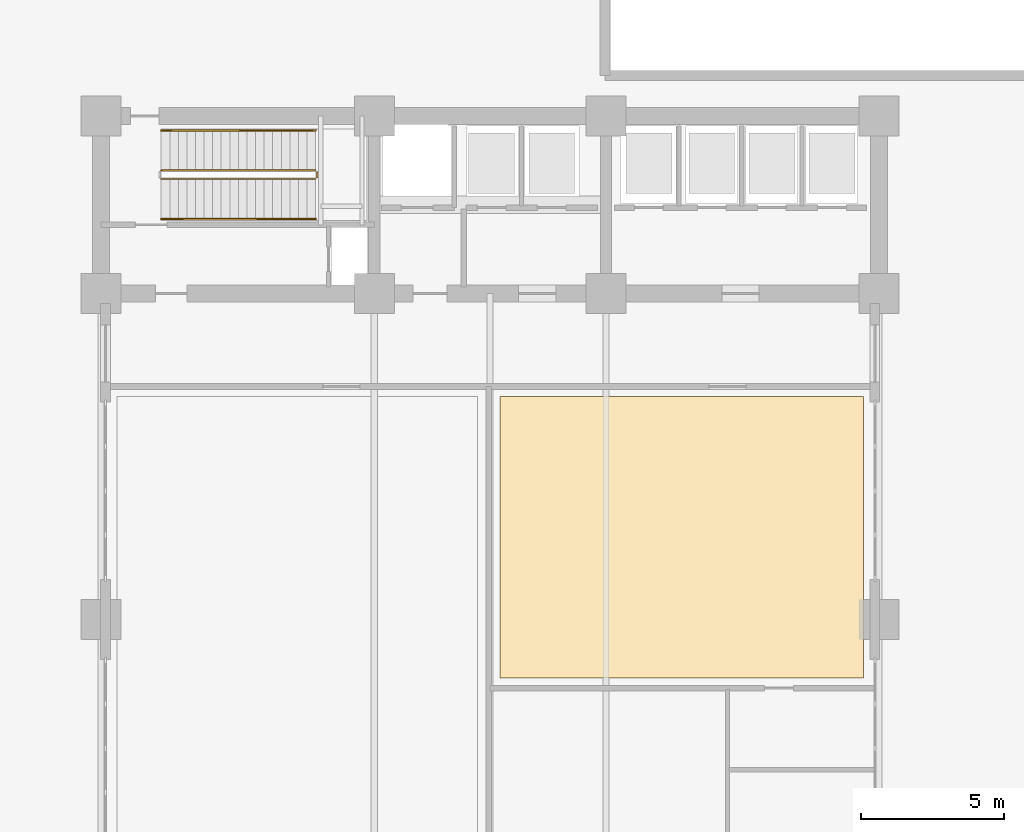
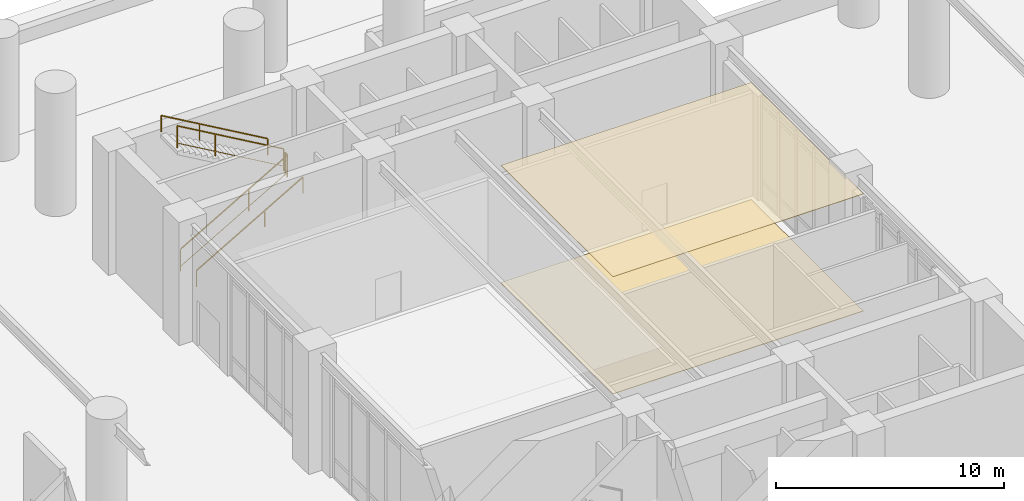
# One storey, part 14 of 16: 5 railings, 2 coverings.
"""IFC4 building model written with IfcOpenShell, lengths in metres."""

import ifcopenshell
import ifcopenshell.guid

model = None  # the IFC model being written
_history = None  # IfcOwnerHistory: only IFC2X3 demands one
_inside = {}  # id of a spatial element -> (the spatial element, [elements in it])
_under = {}  # id of a project, library or spatial element -> (it, [spatial elements below it])
_declared = {}  # id of a project -> (the project, [libraries it declares])
_typed = {}  # id of a type object -> (the type object, [elements of that type])
_made_of = {}  # id of a material, layer set ... -> (it, [elements and type objects made of it])


def new_model(schema):
    """Start an empty IFC model of exactly this schema.

    Asked for "IFC4X3", IfcOpenShell would pick the latest addendum, in which some entities
    have other attributes; the version numbers below select the first issue.
    IFC2X3 requires an IfcOwnerHistory on every rooted entity: one is made here for all.
    """
    global model, _history
    if schema == "IFC4X3":
        model = ifcopenshell.file(schema_version=(4, 3, 0, 0))
    else:
        model = ifcopenshell.file(schema=schema)
    _inside.clear()
    _under.clear()
    _declared.clear()
    _typed.clear()
    _made_of.clear()
    _history = None
    if model.schema == "IFC2X3":
        org = make("IfcOrganization", Name="unknown")
        user = make(
            "IfcPersonAndOrganization",
            ThePerson=make("IfcPerson", FamilyName="unknown"),
            TheOrganization=org,
        )
        app = make(
            "IfcApplication",
            ApplicationDeveloper=org,
            Version="unknown",
            ApplicationFullName="unknown",
            ApplicationIdentifier="unknown",
        )
        _history = make(
            "IfcOwnerHistory",
            OwningUser=user,
            OwningApplication=app,
            ChangeAction="ADDED",
            CreationDate=0,
        )
    return model


def make(cls, **values):
    """One entity of the class cls with the attributes given. An attribute that is None is left unset."""
    return model.create_entity(
        cls, **{name: value for name, value in values.items() if value is not None}
    )


def rooted(cls, **values):
    """An entity with a GlobalId (a new one), such as an element, a storey or a relation."""
    return make(cls, GlobalId=ifcopenshell.guid.new(), OwnerHistory=_history, **values)


def si_unit(unit_type, name, prefix=None):
    """IfcSIUnit, for example si_unit("LENGTHUNIT", "METRE", prefix="MILLI")."""
    return make("IfcSIUnit", UnitType=unit_type, Prefix=prefix, Name=name)


def assignment(units):
    """IfcUnitAssignment: the units of a project."""
    return None if units is None else make("IfcUnitAssignment", Units=units)


def point(xyz):
    """IfcCartesianPoint."""
    return None if xyz is None else make("IfcCartesianPoint", Coordinates=xyz)


def direction(xyz):
    """IfcDirection."""
    return None if xyz is None else make("IfcDirection", DirectionRatios=xyz)


def frame(location, z_axis=None, x_axis=None):
    """IfcAxis2Placement3D, a coordinate frame: its origin and axes. An axis left out is left unset."""
    return make(
        "IfcAxis2Placement3D",
        Location=point(location),
        Axis=direction(z_axis),
        RefDirection=direction(x_axis),
    )


def frame_2d(location, x_axis=None):
    """IfcAxis2Placement2D, a coordinate frame in the plane: its origin and x axis."""
    return make(
        "IfcAxis2Placement2D", Location=point(location), RefDirection=direction(x_axis)
    )


def origin():
    """The frame at (0, 0, 0) with its axes left unset."""
    return frame((0.0, 0.0, 0.0))


def origin_2d():
    """The frame at (0, 0) in the plane with its x axis left unset."""
    return frame_2d((0.0, 0.0))


def place(relative_to, where):
    """IfcLocalPlacement: puts the frame where relative to a parent placement (None: the world)."""
    return make(
        "IfcLocalPlacement", PlacementRelTo=relative_to, RelativePlacement=where
    )


def context(
    kind, dimensions, precision=None, world=None, true_north=None, identifier=None
):
    """IfcGeometricRepresentationContext, for example the 3D "Model" context."""
    return make(
        "IfcGeometricRepresentationContext",
        ContextIdentifier=identifier,
        ContextType=kind,
        CoordinateSpaceDimension=dimensions,
        Precision=precision,
        WorldCoordinateSystem=world,
        TrueNorth=true_north,
    )


def subcontext(parent, identifier, kind, view, scale=None):
    """IfcGeometricRepresentationSubContext, for example "Body" below "Model"."""
    return make(
        "IfcGeometricRepresentationSubContext",
        ContextIdentifier=identifier,
        ContextType=kind,
        ParentContext=parent,
        TargetScale=scale,
        TargetView=view,
    )


def project(units=None, contexts=None):
    """IfcProject with its units and contexts."""
    return rooted(
        "IfcProject",
        Name="project",
        RepresentationContexts=contexts,
        UnitsInContext=assignment(units),
    )


def spatial(cls, under=None, at=None, **own):
    """A site, building, storey or space (cls), placed at a placement, below another one or the project."""
    s = rooted(cls, ObjectPlacement=at, **own)
    if under is not None:
        _under.setdefault(under.id(), (under, []))[1].append(s)
    return s


def polyline(points):
    """IfcPolyline through the points."""
    return make("IfcPolyline", Points=[point(p) for p in points])


def profile(cls, at=None, kind="AREA", **sizes):
    """A parametric profile (cls). Its sizes go by their IFC names, for example OverallWidth=200.0."""
    return make(cls, ProfileType=kind, Position=at, **sizes)


def rectangle(**sizes):
    """IfcRectangleProfileDef."""
    return profile("IfcRectangleProfileDef", **sizes)


def outline(outer, holes=None, kind="AREA"):
    """IfcArbitraryClosedProfileDef: a profile drawn as a closed curve; with holes, ...WithVoids."""
    if holes is None:
        return make("IfcArbitraryClosedProfileDef", ProfileType=kind, OuterCurve=outer)
    return make(
        "IfcArbitraryProfileDefWithVoids",
        ProfileType=kind,
        OuterCurve=outer,
        InnerCurves=holes,
    )


def extrude(swept, where, along, depth):
    """IfcExtrudedAreaSolid: the profile swept, set in the frame where, extruded along a direction by depth."""
    return make(
        "IfcExtrudedAreaSolid",
        SweptArea=swept,
        Position=where,
        ExtrudedDirection=direction(along),
        Depth=depth,
    )


def shape(context_of_items, identifier, shape_type, items):
    """IfcShapeRepresentation: the items that make up one representation, for example the "Body"."""
    return make(
        "IfcShapeRepresentation",
        ContextOfItems=context_of_items,
        RepresentationIdentifier=identifier,
        RepresentationType=shape_type,
        Items=items,
    )


def material(Name=None, Category=None):
    """IfcMaterial."""
    return make("IfcMaterial", Name=Name, Category=Category)


def layer(
    of_material, thickness, ventilated=None, Name=None, Category=None, Priority=None
):
    """IfcMaterialLayer: one layer of a wall or slab, of a material (None: an air gap)."""
    return make(
        "IfcMaterialLayer",
        Material=of_material,
        LayerThickness=thickness,
        IsVentilated=ventilated,
        Name=Name,
        Category=Category,
        Priority=Priority,
    )


def layer_set(layers, Name=None):
    """IfcMaterialLayerSet."""
    return make("IfcMaterialLayerSet", MaterialLayers=layers, LayerSetName=Name)


def made_of(thing, what):
    """Note that an element or type object is made of a material, layer set ...; save() writes the relation."""
    if what is not None:
        _made_of.setdefault(what.id(), (what, []))[1].append(thing)
    return thing


def type_object(cls, material=None, **own):
    """A type object (cls), such as IfcWallType, which elements share."""
    return made_of(rooted(cls, **own), material)


def element(
    cls,
    number,
    at=None,
    inside=None,
    cuts=None,
    type_object=None,
    material=None,
    context=None,
    identifier="Body",
    shape_type=None,
    held_by="IfcProductDefinitionShape",
    body=None,
    shapes=None,
    **own,
):
    """One element of the class cls, such as IfcWall. Its Tag is "e" and its number.

    at: its placement. inside: the storey or other place that contains it. cuts: it is an
    opening in that element (IfcRelVoidsElement). A single representation is given by context,
    identifier, shape_type and body (its items); several are given by shapes. held_by: the class
    of the entity that holds the representations. save() writes the other relations.
    """
    e = rooted(cls, Tag="e%d" % number, ObjectPlacement=at, **own)
    if body is not None:
        shapes = [shape(context, identifier, shape_type, body)]
    if shapes is not None:
        e.Representation = make(held_by, Representations=shapes)
    if inside is not None:
        _inside.setdefault(inside.id(), (inside, []))[1].append(e)
    if cuts is not None:
        rooted(
            "IfcRelVoidsElement", RelatingBuildingElement=cuts, RelatedOpeningElement=e
        )
    if type_object is not None:
        _typed.setdefault(type_object.id(), (type_object, []))[1].append(e)
    return made_of(e, material)


def aggregate(whole, parts):
    """IfcRelAggregates: a whole, such as a stair, and the parts it consists of."""
    return rooted("IfcRelAggregates", RelatingObject=whole, RelatedObjects=parts)


def save(model, path):
    """Write the relations noted so far, then the file.

    IfcRelAggregates (storeys below a building ...), IfcRelContainedInSpatialStructure (elements
    in a storey), IfcRelDefinesByType, IfcRelAssociatesMaterial and IfcRelDeclares: one each for
    every whole, place, type object, material and project.
    """
    for whole, parts in _under.values():
        aggregate(whole, parts)
    for where, things in _inside.values():
        rooted(
            "IfcRelContainedInSpatialStructure",
            RelatedElements=things,
            RelatingStructure=where,
        )
    for kind, things in _typed.values():
        rooted("IfcRelDefinesByType", RelatedObjects=things, RelatingType=kind)
    for what, things in _made_of.values():
        rooted("IfcRelAssociatesMaterial", RelatedObjects=things, RelatingMaterial=what)
    for by, libraries in _declared.values():
        rooted("IfcRelDeclares", RelatingContext=by, RelatedDefinitions=libraries)
    model.write(path)


model = new_model("IFC4")

# Units and contexts
model_context = context("Model", 3, precision=1e-05, world=origin(), true_north=direction((0.0, 1.0)))
body_context = subcontext(model_context, "Body", "Model", "MODEL_VIEW")
ifc_project = project(units=[si_unit("LENGTHUNIT", "METRE"), si_unit("AREAUNIT", "SQUARE_METRE"), si_unit("VOLUMEUNIT", "CUBIC_METRE"), si_unit("PLANEANGLEUNIT", "RADIAN"), si_unit("MASSUNIT", "GRAM", prefix="KILO")], contexts=[model_context])

# Site, building, storey
site_placement = place(None, origin())
site = spatial("IfcSite", under=ifc_project, at=site_placement, CompositionType="ELEMENT")
building_placement = place(site_placement, origin())
building = spatial("IfcBuilding", under=site, at=building_placement, Name="Svetorya Sky Lyceum", CompositionType="ELEMENT")
storey_placement = place(building_placement, origin())
storey = spatial("IfcBuildingStorey", under=building, at=storey_placement, Name="L00", CompositionType="ELEMENT", Elevation=0.0)

# Coverings
ifc_material_1 = material(Name="Mineral-fibre classroom acoustic ceiling tile")
ifc_layer_1 = layer(ifc_material_1, 0.02392578125)
ifc_layer_set_1 = layer_set([ifc_layer_1], Name="Mineral-fibre classroom acoustic ceiling tile")
covering_type_1 = type_object("IfcCoveringType", Name="COV-CLG-AC24", PredefinedType="CEILING", material=ifc_layer_set_1)
covering_1_placement = place(storey_placement, frame((0.0, 0.0, 6.27587890625)))
element("IfcCovering", 1, at=covering_1_placement, inside=storey, type_object=covering_type_1, Name="Lyceum Entrance Foyer Reception Acoustic Ceiling", PredefinedType="CEILING", context=body_context, shape_type="SweptSolid", body=[
    extrude(outline(polyline([(39.550048828125, 26.14990234375), (52.25, 26.14990234375), (52.25, 36.0), (39.550048828125, 36.0), (39.550048828125, 26.14990234375)])), origin(), (0.0, 0.0, 1.0), 0.024169921875),
])
ifc_material_2 = material(Name="Engineered Nordic oak parquet flooring")
ifc_layer_2 = layer(ifc_material_2, 0.02197265625)
ifc_layer_set_2 = layer_set([ifc_layer_2], Name="Engineered Nordic oak parquet flooring")
covering_type_2 = type_object("IfcCoveringType", Name="COV-FLR-OAK", PredefinedType="FLOORING", material=ifc_layer_set_2)
covering_2_placement = place(storey_placement, origin())
element("IfcCovering", 2, at=covering_2_placement, inside=storey, type_object=covering_type_2, Name="Lyceum Entrance Foyer Reception Architectural Flooring", PredefinedType="FLOORING", context=body_context, shape_type="SweptSolid", body=[
    extrude(outline(polyline([(39.550048828125, 26.14990234375), (52.25, 26.14990234375), (52.25, 36.0), (39.550048828125, 36.0), (39.550048828125, 26.14990234375)])), origin(), (0.0, 0.0, 1.0), 0.02197265625),
])

# Railings
ifc_material_3 = material(Name="Painted galvanized stair well guard")
railing_type_1 = type_object("IfcRailingType", Name="RL-STR-GUARD-1200", PredefinedType="GUARDRAIL", material=ifc_material_3)
railing_1_placement = place(storey_placement, frame((27.699951171875, 43.60009765625, 0.173583984375)))
element("IfcRailing", 3, at=railing_1_placement, inside=storey, type_object=railing_type_1, Name="L00 ST-N stair guard 1", PredefinedType="GUARDRAIL", context=body_context, shape_type="SweptSolid", body=[
    extrude(rectangle(XDim=0.048095703125, YDim=0.048095703125, at=origin_2d()), frame((0.0, 0.0, 1.17578125), z_axis=(0.865421820894, 0.0, 0.501043982023), x_axis=(0.0, 1.0, 0.0)), (0.0, 0.0, 1.0), 6.239990234375),
    extrude(rectangle(XDim=0.02392578125, YDim=0.02392578125, at=origin_2d()), frame((0.0, 0.0, 0.25), z_axis=(0.865421820894, 0.0, 0.501043982023), x_axis=(0.0, 1.0, 0.0)), (0.0, 0.0, 1.0), 6.239990234375),
    extrude(rectangle(XDim=0.0419921875, YDim=0.0419921875, at=origin_2d()), origin(), (0.0, 0.0, 1.0), 1.15185546875),
    extrude(rectangle(XDim=0.0419921875, YDim=0.0419921875, at=origin_2d()), frame((3.461669921875, 0.0, 2.004150390625)), (0.0, 0.0, 1.0), 1.15185546875),
    extrude(rectangle(XDim=0.0419921875, YDim=0.0419921875, at=origin_2d()), frame((5.400146484375, 0.0, 3.12646484375)), (0.0, 0.0, 1.0), 1.15185546875),
])
railing_2_placement = place(storey_placement, frame((33.14990234375, 43.64990234375, 3.300048828125)))
element("IfcRailing", 4, at=railing_2_placement, inside=storey, type_object=railing_type_1, Name="L00 ST-N stair guard 2", PredefinedType="GUARDRAIL", context=body_context, shape_type="SweptSolid", body=[
    extrude(rectangle(XDim=0.048095703125, YDim=0.048095703125, at=origin_2d()), frame((0.0, 0.0, 1.17578125), z_axis=(0.0, 1.0, 0.0), x_axis=(-1.0, 0.0, 0.0)), (0.0, 0.0, 1.0), 0.2001953125),
    extrude(rectangle(XDim=0.02392578125, YDim=0.02392578125, at=origin_2d()), frame((0.0, 0.0, 0.25), z_axis=(0.0, 1.0, 0.0), x_axis=(-1.0, 0.0, 0.0)), (0.0, 0.0, 1.0), 0.2001953125),
    extrude(rectangle(XDim=0.0419921875, YDim=0.0419921875, at=origin_2d()), origin(), (0.0, 0.0, 1.0), 1.15185546875),
    extrude(rectangle(XDim=0.0419921875, YDim=0.0419921875, at=origin_2d()), frame((0.0, 0.2001953125, 0.0)), (0.0, 0.0, 1.0), 1.15185546875),
])
railing_3_placement = place(storey_placement, frame((33.10009765625, 43.89990234375, 3.4736328125)))
element("IfcRailing", 5, at=railing_3_placement, inside=storey, type_object=railing_type_1, Name="L00 ST-N stair guard 3", PredefinedType="GUARDRAIL", context=body_context, shape_type="SweptSolid", body=[
    extrude(rectangle(XDim=0.048095703125, YDim=0.048095703125, at=origin_2d()), frame((0.0, 0.0, 1.17578125), z_axis=(-0.865421820894, 0.0, 0.501043982023), x_axis=(0.0, -1.0, 0.0)), (0.0, 0.0, 1.0), 6.239990234375),
    extrude(rectangle(XDim=0.02392578125, YDim=0.02392578125, at=origin_2d()), frame((0.0, 0.0, 0.25), z_axis=(-0.865421820894, 0.0, 0.501043982023), x_axis=(0.0, -1.0, 0.0)), (0.0, 0.0, 1.0), 6.239990234375),
    extrude(rectangle(XDim=0.0419921875, YDim=0.0419921875, at=origin_2d()), origin(), (0.0, 0.0, 1.0), 1.15185546875),
    extrude(rectangle(XDim=0.0419921875, YDim=0.0419921875, at=origin_2d()), frame((-3.461669921875, 0.0, 2.004150390625)), (0.0, 0.0, 1.0), 1.15185546875),
    extrude(rectangle(XDim=0.0419921875, YDim=0.0419921875, at=origin_2d()), frame((-5.400146484375, 0.0, 3.12646484375)), (0.0, 0.0, 1.0), 1.15185546875),
])
ifc_material_4 = material(Name="Brushed stainless AISI 304 stair handrail")
railing_type_2 = type_object("IfcRailingType", Name="RL-STR-HAND-920", PredefinedType="HANDRAIL", material=ifc_material_4)
railing_4_placement = place(storey_placement, frame((27.699951171875, 42.199951171875, 0.173583984375)))
element("IfcRailing", 6, at=railing_4_placement, inside=storey, type_object=railing_type_2, Name="L00 ST-N stair handrail 1", PredefinedType="HANDRAIL", context=body_context, shape_type="SweptSolid", body=[
    extrude(rectangle(XDim=0.048095703125, YDim=0.048095703125, at=origin_2d()), frame((0.0, 0.0, 0.8759765625), z_axis=(0.865421820894, 0.0, 0.501043982023), x_axis=(0.0, 1.0, 0.0)), (0.0, 0.0, 1.0), 6.239990234375),
    extrude(rectangle(XDim=0.0419921875, YDim=0.0419921875, at=origin_2d()), origin(), (0.0, 0.0, 1.0), 0.851806640625),
    extrude(rectangle(XDim=0.0419921875, YDim=0.0419921875, at=origin_2d()), frame((3.461669921875, 0.0, 2.004150390625)), (0.0, 0.0, 1.0), 0.851806640625),
    extrude(rectangle(XDim=0.0419921875, YDim=0.0419921875, at=origin_2d()), frame((5.400146484375, 0.0, 3.12646484375)), (0.0, 0.0, 1.0), 0.851806640625),
])
railing_5_placement = place(storey_placement, frame((33.10009765625, 45.300048828125, 3.4736328125)))
element("IfcRailing", 7, at=railing_5_placement, inside=storey, type_object=railing_type_2, Name="L00 ST-N stair handrail 2", PredefinedType="HANDRAIL", context=body_context, shape_type="SweptSolid", body=[
    extrude(rectangle(XDim=0.048095703125, YDim=0.048095703125, at=origin_2d()), frame((0.0, 0.0, 0.8759765625), z_axis=(-0.865421820894, 0.0, 0.501043982023), x_axis=(0.0, -1.0, 0.0)), (0.0, 0.0, 1.0), 6.239990234375),
    extrude(rectangle(XDim=0.0419921875, YDim=0.0419921875, at=origin_2d()), origin(), (0.0, 0.0, 1.0), 0.851806640625),
    extrude(rectangle(XDim=0.0419921875, YDim=0.0419921875, at=origin_2d()), frame((-3.461669921875, 0.0, 2.004150390625)), (0.0, 0.0, 1.0), 0.851806640625),
    extrude(rectangle(XDim=0.0419921875, YDim=0.0419921875, at=origin_2d()), frame((-5.400146484375, 0.0, 3.12646484375)), (0.0, 0.0, 1.0), 0.851806640625),
])

save(model, "model.ifc")
